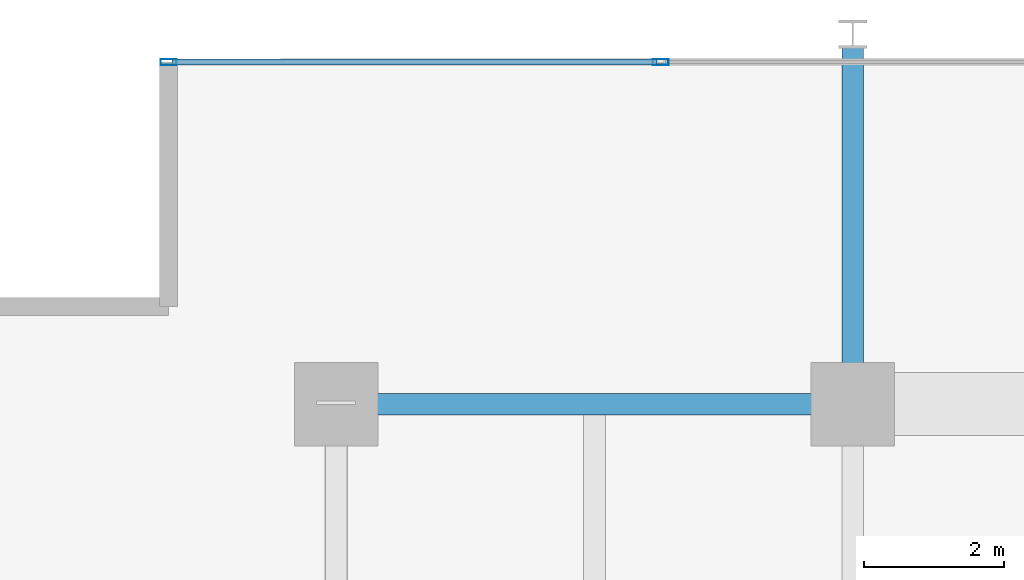
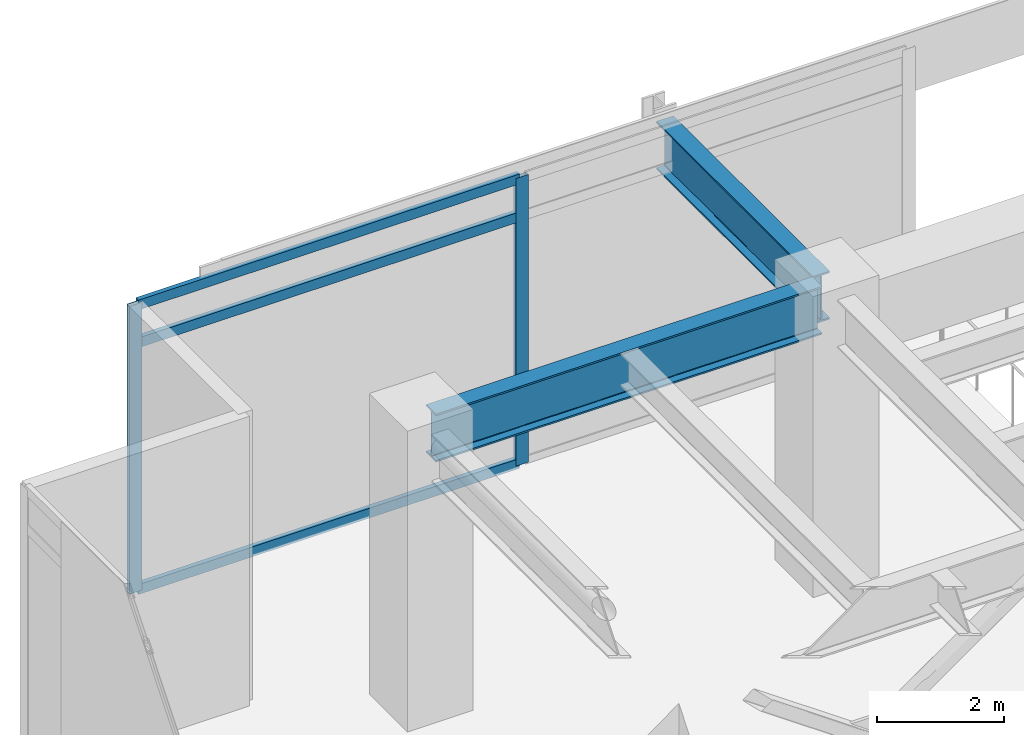
# One storey, part 13 of 26: 5 members, 2 beams, 1 element without a shape of its own.
"""IFC4 building model written with IfcOpenShell, lengths in metres."""

from ifc_helpers import new_model, si_unit, direction, frame, origin, origin_2d, place, context, subcontext, project, spatial, hollow_rectangle, i_section, extrude, material, material_profile, profile_set, type_object, element, aggregate, save


model = new_model("IFC4")

# Units and contexts
model_context = context("Model", 3, precision=1e-05, world=origin(), true_north=direction((0.0, 1.0)))
body_context = subcontext(model_context, "Body", "Model", "MODEL_VIEW")
ifc_project = project(units=[si_unit("LENGTHUNIT", "METRE"), si_unit("AREAUNIT", "SQUARE_METRE"), si_unit("VOLUMEUNIT", "CUBIC_METRE"), si_unit("PLANEANGLEUNIT", "RADIAN"), si_unit("MASSUNIT", "GRAM", prefix="KILO")], contexts=[model_context])

# Site, building, storey
site_placement = place(None, origin())
site = spatial("IfcSite", under=ifc_project, at=site_placement, CompositionType="ELEMENT")
building_placement = place(site_placement, origin())
building = spatial("IfcBuilding", under=site, at=building_placement, Name="Kovane Verandah Tower", CompositionType="ELEMENT")
storey_placement = place(building_placement, frame((0.0, 0.0, 301.0)))
storey = spatial("IfcBuildingStorey", under=building, at=storey_placement, Name="L70", CompositionType="ELEMENT", Elevation=301.0)

# Beams
ifc_material_1 = material(Name="Steel S460", Category="steel")
ifc_material_profile_1 = material_profile(ifc_material_1, i_section(OverallWidth=0.3076171875, OverallDepth=0.926513671875, WebThickness=0.01953125, FlangeThickness=0.031982421875, FilletRadius=0.01904296875, at=origin_2d()), Name="UB914x305x289")
ifc_profile_set_1 = profile_set([ifc_material_profile_1], Name="Steel S460")
beam_type = type_object("IfcBeamType", Name="BM-UB914x289", PredefinedType="BEAM", material=ifc_profile_set_1)
beam_1_placement = place(storey_placement, frame((21.780029296875, 44.199951171875, 5.12158203125), z_axis=(1.0, 0.0, 0.0), x_axis=(0.0, 1.0, 0.0)))
element("IfcBeam", 1, at=beam_1_placement, inside=storey, type_object=beam_type, Name="L70 Primary Tower Girder G-RN1", PredefinedType="BEAM", context=body_context, shape_type="SweptSolid", body=[
    extrude(i_section(OverallWidth=0.3076171875, OverallDepth=0.926513671875, WebThickness=0.01953125, FlangeThickness=0.031982421875, FilletRadius=0.01904296875, at=origin_2d()), origin(), (0.0, 0.0, 1.0), 7.0400390625),
])
beam_2_placement = place(storey_placement, frame((29.0, 44.3798828125, 5.0966796875), z_axis=(0.0, 1.0, 0.0), x_axis=(-1.0, 0.0, 0.0)))
element("IfcBeam", 2, at=beam_2_placement, inside=storey, type_object=beam_type, Name="L70 Primary Tower Girder G-VN1", PredefinedType="BEAM", context=body_context, shape_type="SweptSolid", body=[
    extrude(i_section(OverallWidth=0.3076171875, OverallDepth=0.926513671875, WebThickness=0.01953125, FlangeThickness=0.031982421875, FilletRadius=0.01904296875, at=origin_2d()), origin(), (0.0, 0.0, 1.0), 4.940185546875),
])

# Curtain wall, members
ifc_material_2 = material(Name="Champagne Anodised Aluminium Frame with Low-E Clear Laminated Glass", Category="aluminium")
curtain_wall_type = type_object("IfcCurtainWallType", Name="CW-SYS-05-HIGH", PredefinedType="NOTDEFINED", material=ifc_material_2)
curtain_wall_placement = place(storey_placement, origin())
curtain_wall = element("IfcCurtainWall", 3, at=curtain_wall_placement, inside=storey, type_object=curtain_wall_type, Name="L70 North-West Wind-Portal Curtain Wall 1", PredefinedType="NOTDEFINED")
ifc_material_3 = material(Name="Champagne Anodised Aluminium 6063-T6", Category="aluminium")
ifc_material_profile_2 = material_profile(ifc_material_3, hollow_rectangle(XDim=0.0849609375, YDim=0.22998046875, WallThickness=0.00390625, at=origin_2d()), Name="AL85x230x4")
ifc_profile_set_2 = profile_set([ifc_material_profile_2], Name="Champagne Anodised Aluminium 6063-T6")
member_type_1 = type_object("IfcMemberType", Name="CW-MUL-85x230", PredefinedType="MULLION", material=ifc_profile_set_2)
member_1_placement = place(storey_placement, frame((26.25, 49.10009765625, 0.02001953125), z_axis=(0.0, 0.0, 1.0), x_axis=(0.0, 1.0, 0.0)))
member_1 = element("IfcMember", 4, at=member_1_placement, type_object=member_type_1, Name="L70 North-West Wind-Portal Curtain Wall 1 Mullion 2", PredefinedType="MULLION", context=body_context, shape_type="SweptSolid", body=[
    extrude(hollow_rectangle(XDim=0.0849609375, YDim=0.22998046875, WallThickness=0.00390625, at=origin_2d()), origin(), (0.0, 0.0, 1.0), 5.544921875),
])
member_2_placement = place(storey_placement, frame((19.199951171875, 49.10009765625, 0.02001953125), z_axis=(0.0, 0.0, 1.0), x_axis=(0.0, 1.0, 0.0)))
member_2 = element("IfcMember", 5, at=member_2_placement, type_object=member_type_1, Name="L70 North-West Wind-Portal Curtain Wall 1 Mullion 3", PredefinedType="MULLION", context=body_context, shape_type="SweptSolid", body=[
    extrude(hollow_rectangle(XDim=0.0849609375, YDim=0.22998046875, WallThickness=0.00390625, at=origin_2d()), origin(), (0.0, 0.0, 1.0), 5.544921875),
])
ifc_material_profile_3 = material_profile(ifc_material_3, hollow_rectangle(XDim=0.0849609375, YDim=0.18994140625, WallThickness=0.00390625, at=origin_2d()), Name="AL85x190x4")
ifc_profile_set_3 = profile_set([ifc_material_profile_3], Name="Champagne Anodised Aluminium 6063-T6")
member_type_2 = type_object("IfcMemberType", Name="CW-TRN-85x190", PredefinedType="USERDEFINED", material=ifc_profile_set_3)
member_3_placement = place(storey_placement, frame((26.199951171875, 49.10009765625, 0.050048828125), z_axis=(-1.0, 0.0, 0.0), x_axis=(0.0, -1.0, 0.0)))
member_3 = element("IfcMember", 6, at=member_3_placement, type_object=member_type_2, Name="L70 North-West Wind-Portal Curtain Wall 1 Transom TB Bay 2", ObjectType="TRANSOM", PredefinedType="USERDEFINED", context=body_context, shape_type="SweptSolid", body=[
    extrude(hollow_rectangle(XDim=0.0849609375, YDim=0.18994140625, WallThickness=0.00390625, at=origin_2d()), origin(), (0.0, 0.0, 1.0), 6.949951171875),
])
member_4_placement = place(storey_placement, frame((26.199951171875, 49.10009765625, 4.804931640625), z_axis=(-1.0, 0.0, 0.0), x_axis=(0.0, -1.0, 0.0)))
member_4 = element("IfcMember", 7, at=member_4_placement, type_object=member_type_2, Name="L70 North-West Wind-Portal Curtain Wall 1 Transom TM Bay 2", ObjectType="TRANSOM", PredefinedType="USERDEFINED", context=body_context, shape_type="SweptSolid", body=[
    extrude(hollow_rectangle(XDim=0.0849609375, YDim=0.18994140625, WallThickness=0.00390625, at=origin_2d()), origin(), (0.0, 0.0, 1.0), 6.949951171875),
])
member_5_placement = place(storey_placement, frame((26.199951171875, 49.10009765625, 5.534912109375), z_axis=(-1.0, 0.0, 0.0), x_axis=(0.0, -1.0, 0.0)))
member_5 = element("IfcMember", 8, at=member_5_placement, type_object=member_type_2, Name="L70 North-West Wind-Portal Curtain Wall 1 Transom TT Bay 2", ObjectType="TRANSOM", PredefinedType="USERDEFINED", context=body_context, shape_type="SweptSolid", body=[
    extrude(hollow_rectangle(XDim=0.0849609375, YDim=0.18994140625, WallThickness=0.00390625, at=origin_2d()), origin(), (0.0, 0.0, 1.0), 6.949951171875),
])
aggregate(curtain_wall, [member_1, member_2, member_3, member_4, member_5])

save(model, "model.ifc")
